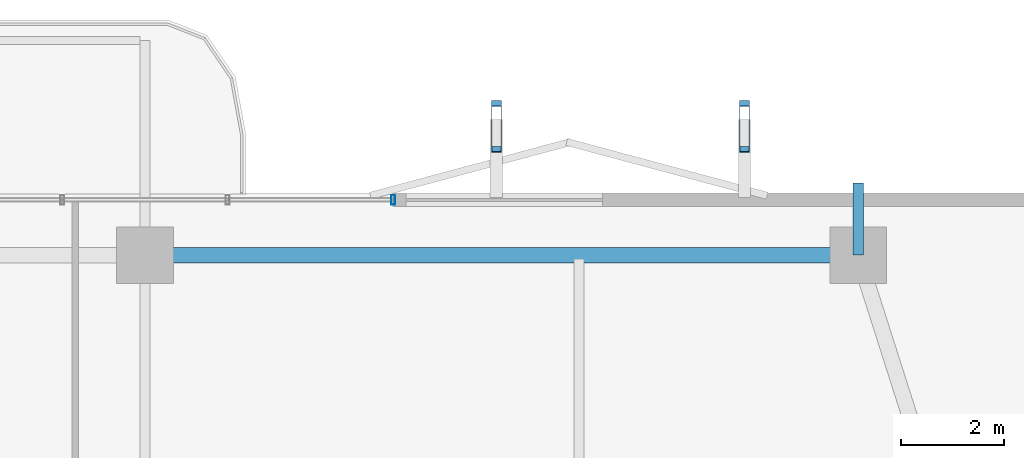
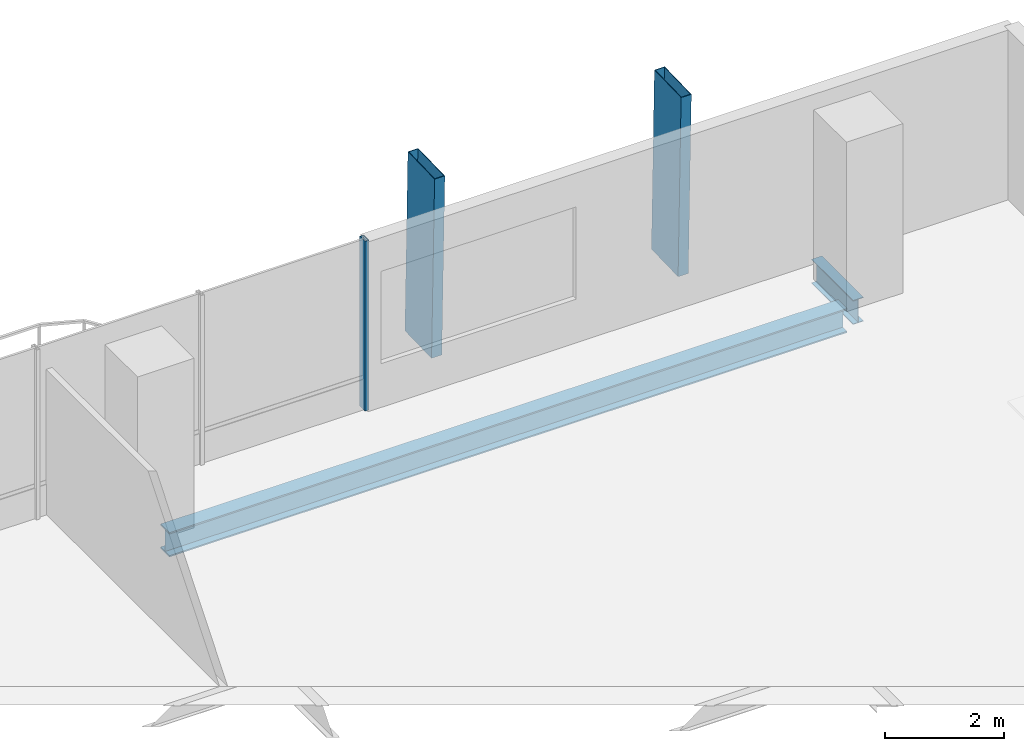
# One storey, part 16 of 23: 3 members, 2 beams, 1 element without a shape of its own.
"""IFC4 building model written with IfcOpenShell, lengths in metres."""

from ifc_helpers import new_model, si_unit, direction, frame, origin, origin_2d, place, context, subcontext, project, spatial, hollow_rectangle, i_section, extrude, material, layer, layer_set, material_profile, profile_set, type_object, element, aggregate, save


model = new_model("IFC4")

# Units and contexts
model_context = context("Model", 3, precision=1e-05, world=origin(), true_north=direction((0.0, 1.0)))
body_context = subcontext(model_context, "Body", "Model", "MODEL_VIEW")
ifc_project = project(units=[si_unit("LENGTHUNIT", "METRE"), si_unit("AREAUNIT", "SQUARE_METRE"), si_unit("VOLUMEUNIT", "CUBIC_METRE"), si_unit("PLANEANGLEUNIT", "RADIAN"), si_unit("MASSUNIT", "GRAM", prefix="KILO")], contexts=[model_context])

# Site, building, storey
site_placement = place(None, origin())
site = spatial("IfcSite", under=ifc_project, at=site_placement, CompositionType="ELEMENT")
building_placement = place(site_placement, origin())
building = spatial("IfcBuilding", under=site, at=building_placement, Name="Belovzor Exchange Tower", CompositionType="ELEMENT")
storey_placement = place(building_placement, frame((0.0, 0.0, 157.050048828125)))
storey = spatial("IfcBuildingStorey", under=building, at=storey_placement, Name="L38", CompositionType="ELEMENT", Elevation=157.050048828125)

# Beam
ifc_material_1 = material(Name="Steel S355", Category="steel")
ifc_material_profile_1 = material_profile(ifc_material_1, i_section(OverallWidth=0.199951171875, OverallDepth=0.5, WebThickness=0.01025390625, FlangeThickness=0.01611328125, at=origin_2d()))
ifc_profile_set_1 = profile_set([ifc_material_profile_1], Name="Steel S355")
beam_type_1 = type_object("IfcBeamType", Name="Planted Balcony Cantilever Beam IPE 500", PredefinedType="BEAM", material=ifc_profile_set_1)
beam_1_placement = place(storey_placement, frame((42.60009765625, 51.89990234375, -0.505126953125), z_axis=(0.0, 1.0, 0.0), x_axis=(-1.0, 0.0, 0.0)))
element("IfcBeam", 1, at=beam_1_placement, inside=storey, type_object=beam_type_1, Name="BC-500 Planted Balcony Cantilever Beam IPE 500", PredefinedType="BEAM", context=body_context, shape_type="SweptSolid", body=[
    extrude(i_section(OverallWidth=0.199951171875, OverallDepth=0.5, WebThickness=0.01025390625, FlangeThickness=0.01611328125, at=origin_2d()), origin(), (0.0, 0.0, 1.0), 1.400146484375),
])

# Members
ifc_material_2 = material(Name="Extruded Architectural Terracotta on Steel S355 Carrier", Category="masonry")
ifc_material_profile_2 = material_profile(ifc_material_2, hollow_rectangle(XDim=0.199951171875, YDim=0.89990234375, WallThickness=0.011962890625, at=origin_2d()))
ifc_profile_set_2 = profile_set([ifc_material_profile_2], Name="Extruded Architectural Terracotta on Steel S355 Carrier")
member_type_1 = type_object("IfcMemberType", Name="Sweeping Terracotta Baguette Fin Assembly 1250", PredefinedType="USERDEFINED", material=ifc_profile_set_2)
for number, where, z_axis, x_axis, name in (
    (2, (35.60009765625, 54.443115234375, -0.255126953125), (0.0, -0.027203470401, 0.999629917118), (1.0, 0.0, 0.0), "FIN-TC125 Terracotta Facade Fin L38 N3"),
    (3, (40.39990234375, 54.443115234375, -0.255126953125), (0.0, -0.027203470401, 0.999629917118), (1.0, 0.0, 0.0), "FIN-TC125 Terracotta Facade Fin L38 N4"),
):
    element("IfcMember", number, at=place(storey_placement, frame(where, z_axis=z_axis, x_axis=x_axis)), inside=storey, type_object=member_type_1, Name=name, ObjectType="FIN", PredefinedType="USERDEFINED", context=body_context, shape_type="SweptSolid", body=[
        extrude(hollow_rectangle(XDim=0.199951171875, YDim=0.89990234375, WallThickness=0.011962890625, at=origin_2d()), origin(), (0.0, 0.0, 1.0), 3.75146484375),
    ])

# Curtain wall, member
ifc_material_3 = material(Name="Anodised Aluminium Framing", Category="aluminium")
ifc_layer = layer(ifc_material_3, 0.179931640625)
ifc_layer_set = layer_set([ifc_layer], Name="Anodised Aluminium Framing")
curtain_wall_type = type_object("IfcCurtainWallType", Name="Recessed Loggia Low-Iron Triple-Glazed Curtain Wall", PredefinedType="NOTDEFINED", material=ifc_layer_set)
curtain_wall_placement = place(storey_placement, origin())
curtain_wall = element("IfcCurtainWall", 4, at=curtain_wall_placement, inside=storey, type_object=curtain_wall_type, Name="CW3 Recessed Loggia Low-Iron Triple-Glazed Curtain Wall L38", PredefinedType="NOTDEFINED")
ifc_material_4 = material(Name="Steel S355", Category="steel")
ifc_material_profile_3 = material_profile(ifc_material_4, hollow_rectangle(XDim=0.074951171875, YDim=0.179931640625, WallThickness=0.0048828125, at=origin_2d()))
ifc_profile_set_3 = profile_set([ifc_material_profile_3], Name="Steel S355")
member_type_2 = type_object("IfcMemberType", Name="Thermally Broken Curtain Wall Mullion 180x75", PredefinedType="MULLION", material=ifc_profile_set_3)
member_placement = place(storey_placement, frame((33.60009765625, 52.969970703125, 0.0), z_axis=(0.0, 0.0, 1.0), x_axis=(1.0, 0.0, 0.0)))
member = element("IfcMember", 5, at=member_placement, type_object=member_type_2, Name="CW-M180 Curtain Wall Mullion 4", PredefinedType="MULLION", context=body_context, shape_type="SweptSolid", body=[
    extrude(hollow_rectangle(XDim=0.074951171875, YDim=0.179931640625, WallThickness=0.0048828125, at=origin_2d()), origin(), (0.0, 0.0, 1.0), 3.494873046875),
])
aggregate(curtain_wall, [member])

# Beam
ifc_material_5 = material(Name="Steel S355", Category="steel")
ifc_material_profile_4 = material_profile(ifc_material_5, i_section(OverallWidth=0.300048828125, OverallDepth=0.5, WebThickness=0.014404296875, FlangeThickness=0.028076171875, at=origin_2d()))
ifc_profile_set_4 = profile_set([ifc_material_profile_4], Name="Steel S355")
beam_type_2 = type_object("IfcBeamType", Name="Zone 3 Waist Primary Girder HEB 500", PredefinedType="BEAM", material=ifc_profile_set_4)
beam_2_placement = place(storey_placement, frame((42.297119140625, 51.89990234375, -0.505126953125), z_axis=(-1.0, 0.0, 0.0), x_axis=(0.0, -1.0, 0.0)))
element("IfcBeam", 6, at=beam_2_placement, inside=storey, type_object=beam_type_2, Name="FG-Z3 Zone 3 Waist Primary Girder HEB 500", PredefinedType="BEAM", context=body_context, shape_type="SweptSolid", body=[
    extrude(i_section(OverallWidth=0.300048828125, OverallDepth=0.5, WebThickness=0.014404296875, FlangeThickness=0.028076171875, at=origin_2d()), origin(), (0.0, 0.0, 1.0), 13.195068359375),
])

save(model, "model.ifc")
